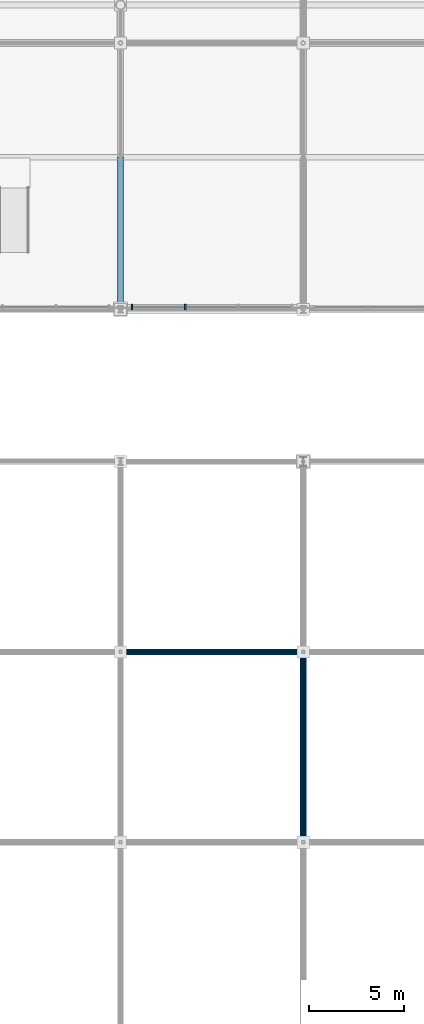
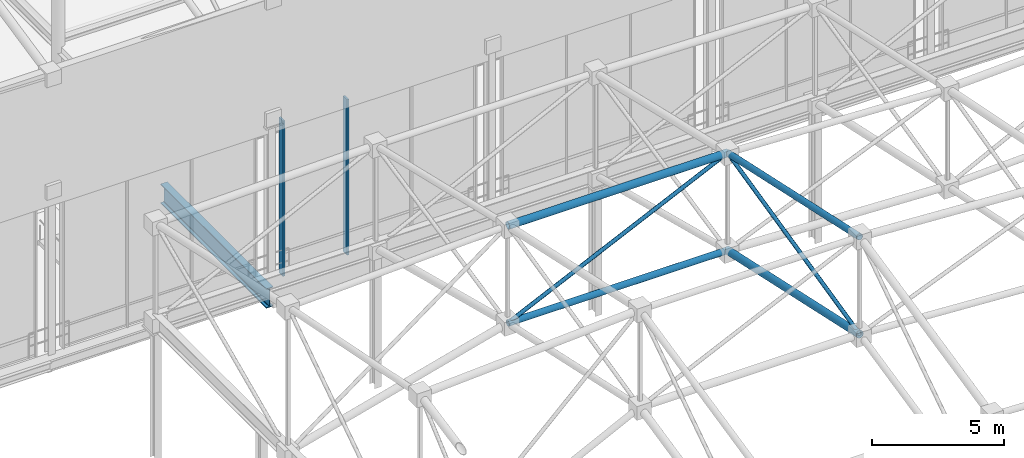
# One storey, part 92 of 193: 8 members, 1 beam, 1 element without a shape of its own.
"""IFC4 building model written with IfcOpenShell, lengths in metres."""

from ifc_helpers import new_model, si_unit, direction, frame, origin, origin_2d, place, context, subcontext, project, spatial, rectangle, hollow_circle, i_section, extrude, material, material_profile, profile_set, type_object, element, aggregate, save


model = new_model("IFC4")

# Units and contexts
model_context = context("Model", 3, precision=1e-05, world=origin(), true_north=direction((0.0, 1.0)))
body_context = subcontext(model_context, "Body", "Model", "MODEL_VIEW")
ifc_project = project(units=[si_unit("LENGTHUNIT", "METRE"), si_unit("AREAUNIT", "SQUARE_METRE"), si_unit("VOLUMEUNIT", "CUBIC_METRE"), si_unit("PLANEANGLEUNIT", "RADIAN"), si_unit("MASSUNIT", "GRAM", prefix="KILO")], contexts=[model_context])

# Site, building, storey
site_placement = place(None, origin())
site = spatial("IfcSite", under=ifc_project, at=site_placement, CompositionType="ELEMENT")
building_placement = place(site_placement, origin())
building = spatial("IfcBuilding", under=site, at=building_placement, Name="Danafjord Basin Convention Centre", CompositionType="ELEMENT")
storey_placement = place(building_placement, frame((0.0, 0.0, 11.39990234375)))
storey = spatial("IfcBuildingStorey", under=building, at=storey_placement, Name="L02", CompositionType="ELEMENT", Elevation=11.39990234375)

# Beam
ifc_material_1 = material(Name="Steel S355", Category="steel")
ifc_material_profile_1 = material_profile(ifc_material_1, i_section(OverallWidth=0.300048828125, OverallDepth=0.89990234375, WebThickness=0.0185546875, FlangeThickness=0.034912109375, FilletRadius=0.030029296875, at=origin_2d()), Name="HEB 900")
ifc_profile_set_1 = profile_set([ifc_material_profile_1], Name="Steel S355")
beam_type = type_object("IfcBeamType", Name="BEAM-BM-HEB900", PredefinedType="BEAM", material=ifc_profile_set_1)
beam_placement = place(storey_placement, frame((153.60009765625, 88.0, -0.809814453125), z_axis=(0.0, 1.0, 0.0), x_axis=(-1.0, 0.0, 0.0)))
element("IfcBeam", 1, at=beam_placement, inside=storey, type_object=beam_type, Name="L02 transverse girder BM-HEB900", PredefinedType="BEAM", context=body_context, shape_type="SweptSolid", body=[
    extrude(i_section(OverallWidth=0.300048828125, OverallDepth=0.89990234375, WebThickness=0.0185546875, FlangeThickness=0.034912109375, FilletRadius=0.030029296875, at=origin_2d()), origin(), (0.0, 0.0, 1.0), 8.0),
])

# Members
ifc_material_profile_2 = material_profile(ifc_material_1, hollow_circle(Radius=0.136474609375, WallThickness=0.012451171875, at=origin_2d()), Name="CHS 273.0x12.5")
ifc_profile_set_2 = profile_set([ifc_material_profile_2], Name="Steel S355")
member_type_1 = type_object("IfcMemberType", Name="MEM-CH-CHS273", PredefinedType="CHORD", material=ifc_profile_set_2)
member_1_placement = place(storey_placement, frame((153.60009765625, 70.0, 8.927978515625), z_axis=(0.999999999677, 0.0, -2.5431703e-05), x_axis=(0.0, 1.0, 0.0)))
element("IfcMember", 2, at=member_1_placement, inside=storey, type_object=member_type_1, Name="V3 roof truss longitudinal bottom chord", PredefinedType="CHORD", context=body_context, shape_type="SweptSolid", body=[
    extrude(hollow_circle(Radius=0.136474609375, WallThickness=0.012451171875, at=origin_2d()), origin(), (0.0, 0.0, 1.0), 9.599853515625),
])
member_2_placement = place(storey_placement, frame((163.199951171875, 60.0, 15.612548828125), z_axis=(0.0, 0.976954756916, -0.213446487296), x_axis=(-1.0, 0.0, 0.0)))
element("IfcMember", 3, at=member_2_placement, inside=storey, type_object=member_type_1, Name="V3 roof truss transverse top chord", PredefinedType="CHORD", context=body_context, shape_type="SweptSolid", body=[
    extrude(hollow_circle(Radius=0.136474609375, WallThickness=0.012451171875, at=origin_2d()), origin(), (0.0, 0.0, 1.0), 10.23583984375),
])
ifc_material_profile_3 = material_profile(ifc_material_1, hollow_circle(Radius=0.161865234375, WallThickness=0.01611328125, at=origin_2d()), Name="CHS 323.9x16.0")
ifc_profile_set_3 = profile_set([ifc_material_profile_3], Name="Steel S355")
member_type_2 = type_object("IfcMemberType", Name="MEM-CH-CHS324", PredefinedType="CHORD", material=ifc_profile_set_3)
member_3_placement = place(storey_placement, frame((153.60009765625, 70.0, 13.427978515625), z_axis=(0.999999999677, 0.0, -2.5431703e-05), x_axis=(0.0, 1.0, 0.0)))
element("IfcMember", 4, at=member_3_placement, inside=storey, type_object=member_type_2, Name="V3 roof truss longitudinal top chord", PredefinedType="CHORD", context=body_context, shape_type="SweptSolid", body=[
    extrude(hollow_circle(Radius=0.161865234375, WallThickness=0.01611328125, at=origin_2d()), origin(), (0.0, 0.0, 1.0), 9.599853515625),
])
member_4_placement = place(storey_placement, frame((163.199951171875, 60.0, 11.112548828125), z_axis=(0.0, 0.976954756916, -0.213446487296), x_axis=(-1.0, 0.0, 0.0)))
element("IfcMember", 5, at=member_4_placement, inside=storey, type_object=member_type_2, Name="V3 roof truss transverse bottom chord", PredefinedType="CHORD", context=body_context, shape_type="SweptSolid", body=[
    extrude(hollow_circle(Radius=0.161865234375, WallThickness=0.01611328125, at=origin_2d()), origin(), (0.0, 0.0, 1.0), 10.23583984375),
])

# Curtain wall, members
ifc_material_2 = material(Name="Anodised aluminium and triple glazing", Category="aluminium")
curtain_wall_type = type_object("IfcCurtainWallType", Name="CW-CW-DRUM", PredefinedType="NOTDEFINED", material=ifc_material_2)
curtain_wall_placement = place(storey_placement, origin())
curtain_wall = element("IfcCurtainWall", 6, at=curtain_wall_placement, inside=storey, type_object=curtain_wall_type, Name="L02 CW-DRUM unitised curtain wall bay 124", PredefinedType="NOTDEFINED")
ifc_material_3 = material(Name="Anodised aluminium EN AW-6060", Category="aluminium")
ifc_material_profile_4 = material_profile(ifc_material_3, rectangle(XDim=0.080078125, YDim=0.300048828125, at=origin_2d()), Name="MULL 80x300")
ifc_profile_set_4 = profile_set([ifc_material_profile_4], Name="Anodised aluminium EN AW-6060")
member_type_3 = type_object("IfcMemberType", Name="MEM-ML-300", PredefinedType="MULLION", material=ifc_profile_set_4)
member_5_placement = place(storey_placement, frame((154.199951171875, 88.1201171875, -0.02490234375), z_axis=(0.0, 0.0, 1.0), x_axis=(1.0, 0.0, 0.0)))
member_5 = element("IfcMember", 7, at=member_5_placement, type_object=member_type_3, Name="CW-L02-124 mullion 1", PredefinedType="MULLION", context=body_context, shape_type="SweptSolid", body=[
    extrude(rectangle(XDim=0.080078125, YDim=0.300048828125, at=origin_2d()), origin(), (0.0, 0.0, 1.0), 7.18505859375),
])
member_6_placement = place(storey_placement, frame((157.0, 88.1201171875, -0.02490234375), z_axis=(0.0, 0.0, 1.0), x_axis=(1.0, 0.0, 0.0)))
member_6 = element("IfcMember", 8, at=member_6_placement, type_object=member_type_3, Name="CW-L02-124 mullion 2", PredefinedType="MULLION", context=body_context, shape_type="SweptSolid", body=[
    extrude(rectangle(XDim=0.080078125, YDim=0.300048828125, at=origin_2d()), origin(), (0.0, 0.0, 1.0), 7.18505859375),
])
aggregate(curtain_wall, [member_5, member_6])

# Members
ifc_material_profile_5 = material_profile(ifc_material_1, hollow_circle(Radius=0.084228515625, WallThickness=0.008056640625, at=origin_2d()), Name="CHS 168.3x8.0")
ifc_profile_set_5 = profile_set([ifc_material_profile_5], Name="Steel S355")
member_type_4 = type_object("IfcMemberType", Name="MEM-WB-CHS168", PredefinedType="MEMBER", material=ifc_profile_set_5)
member_7_placement = place(storey_placement, frame((153.60009765625, 70.0, 8.927978515625), z_axis=(0.905465296543, 0.0, 0.424420306721), x_axis=(0.0, 1.0, 0.0)))
element("IfcMember", 9, at=member_7_placement, inside=storey, type_object=member_type_4, Name="V3 space-frame longitudinal web", PredefinedType="MEMBER", context=body_context, shape_type="SweptSolid", body=[
    extrude(hollow_circle(Radius=0.084228515625, WallThickness=0.008056640625, at=origin_2d()), origin(), (0.0, 0.0, 1.0), 10.60205078125),
])
member_8_placement = place(storey_placement, frame((163.199951171875, 60.0, 11.112548828125), z_axis=(0.0, 0.974231002168, 0.225552553554), x_axis=(-1.0, 0.0, 0.0)))
element("IfcMember", 10, at=member_8_placement, inside=storey, type_object=member_type_4, Name="V3 space-frame transverse web", PredefinedType="MEMBER", context=body_context, shape_type="SweptSolid", body=[
    extrude(hollow_circle(Radius=0.084228515625, WallThickness=0.008056640625, at=origin_2d()), origin(), (0.0, 0.0, 1.0), 10.264404296875),
])

save(model, "model.ifc")
